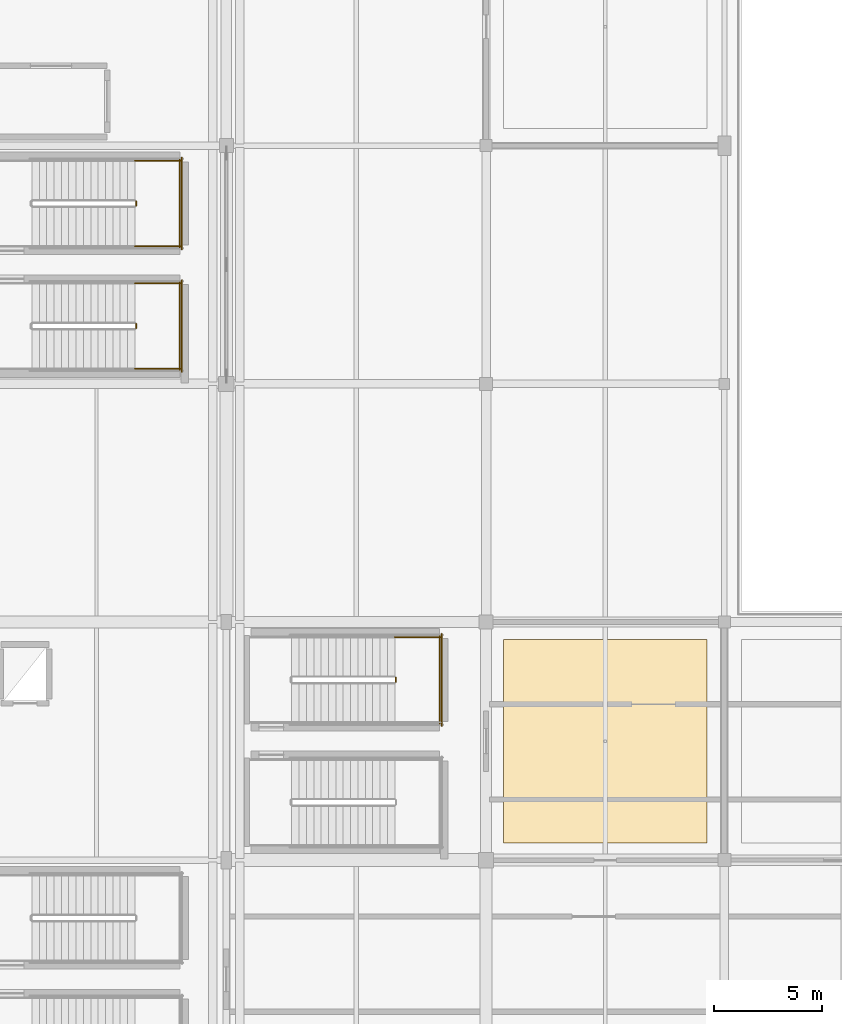
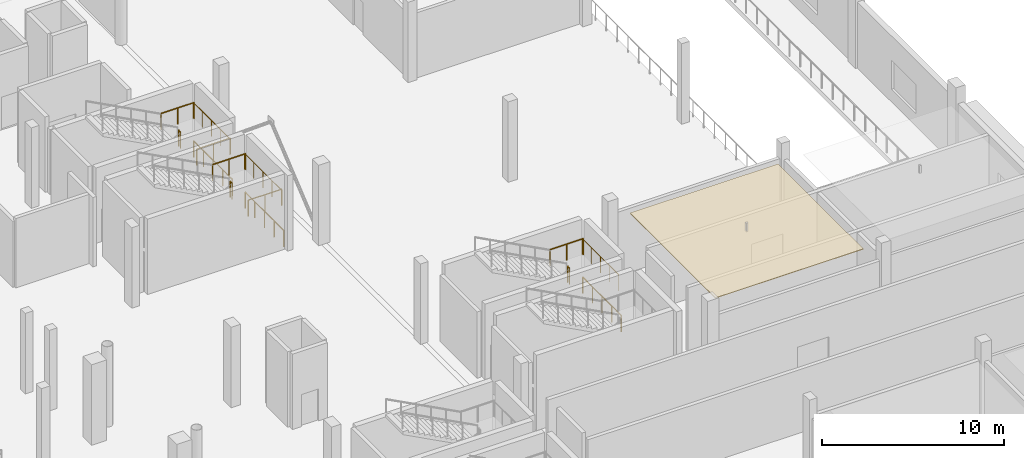
# One storey, part 118 of 120: 14 railings, 1 covering.
"""IFC4 building model written with IfcOpenShell, lengths in metres."""

from ifc_helpers import new_model, si_unit, direction, frame, origin, origin_2d, place, context, subcontext, project, spatial, polyline, circle, outline, extrude, material, layer, layer_set, type_object, element, save


model = new_model("IFC4")

# Units and contexts
model_context = context("Model", 3, precision=1e-05, world=origin(), true_north=direction((0.0, 1.0)))
body_context = subcontext(model_context, "Body", "Model", "MODEL_VIEW")
ifc_project = project(units=[si_unit("LENGTHUNIT", "METRE"), si_unit("AREAUNIT", "SQUARE_METRE"), si_unit("VOLUMEUNIT", "CUBIC_METRE"), si_unit("PLANEANGLEUNIT", "RADIAN"), si_unit("MASSUNIT", "GRAM", prefix="KILO")], contexts=[model_context])

# Site, building, storey
site_placement = place(None, origin())
site = spatial("IfcSite", under=ifc_project, at=site_placement, CompositionType="ELEMENT")
building_placement = place(site_placement, origin())
building = spatial("IfcBuilding", under=site, at=building_placement, Name="Luwafu Chhajja Arena", CompositionType="ELEMENT")
storey_placement = place(building_placement, origin())
storey = spatial("IfcBuildingStorey", under=building, at=storey_placement, Name="L00", CompositionType="ELEMENT", Elevation=0.0)

# Covering
ifc_material_1 = material(Name="Acoustic gypsum ceiling board")
ifc_layer = layer(ifc_material_1, 0.0400390625, Name="Acoustic gypsum ceiling board")
ifc_layer_set = layer_set([ifc_layer], Name="Acoustic gypsum ceiling board")
covering_type = type_object("IfcCoveringType", Name="Perforated Acoustic Baffle Ceiling", PredefinedType="CEILING", material=ifc_layer_set)
covering_placement = place(storey_placement, frame((0.0, 0.0, 4.5029296875)))
element("IfcCovering", 1, at=covering_placement, inside=storey, type_object=covering_type, Name="L00 Acoustic Baffle Ceiling 019", PredefinedType="CEILING", context=body_context, shape_type="SweptSolid", body=[
    extrude(outline(polyline([(176.800048828125, 55.800048828125), (186.199951171875, 55.800048828125), (186.199951171875, 65.199951171875), (176.800048828125, 65.199951171875), (176.800048828125, 55.800048828125)])), origin(), (0.0, 0.0, 1.0), 0.0400390625),
])

# Railings
ifc_material_2 = material(Name="Stainless steel balustrade", Category="steel")
railing_type = type_object("IfcRailingType", Name="Stair and Terrace Guard Balustrade 1100", PredefinedType="BALUSTRADE", material=ifc_material_2)
railing_1_placement = place(storey_placement, frame((159.830078125, 79.570068359375, 2.699951171875)))
element("IfcRailing", 2, at=railing_1_placement, inside=storey, type_object=railing_type, Name="L00 ST-07 stair guard 2", PredefinedType="BALUSTRADE", context=body_context, shape_type="SweptSolid", body=[
    extrude(circle(Radius=0.02392578125, at=origin_2d()), frame((0.0, 0.0, 1.076171875), z_axis=(0.0, 1.0, 0.0), x_axis=(-1.0, 0.0, 0.0)), (0.0, 0.0, 1.0), 0.199951171875),
    extrude(circle(Radius=0.02099609375, at=origin_2d()), origin(), (0.0, 0.0, 1.0), 1.052001953125),
    extrude(circle(Radius=0.02099609375, at=origin_2d()), frame((0.0, 0.199951171875, 0.0)), (0.0, 0.0, 1.0), 1.052001953125),
])
for number, where, name in (
    (3, (159.780029296875, 77.699951171875, 2.699951171875), "L00 ST-07 stair guard 3"),
    (4, (159.780029296875, 81.639892578125, 2.699951171875), "L00 ST-07 stair guard 4"),
):
    element("IfcRailing", number, at=place(storey_placement, frame(where)), inside=storey, type_object=railing_type, Name=name, PredefinedType="BALUSTRADE", context=body_context, shape_type="SweptSolid", body=[
        extrude(circle(Radius=0.02392578125, at=origin_2d()), frame((0.0, 0.0, 1.076171875), z_axis=(1.0, 0.0, 0.0), x_axis=(0.0, 1.0, 0.0)), (0.0, 0.0, 1.0), 2.119873046875),
        extrude(circle(Radius=0.02099609375, at=origin_2d()), origin(), (0.0, 0.0, 1.0), 1.052001953125),
        extrude(circle(Radius=0.02099609375, at=origin_2d()), frame((1.06005859375, 0.0, 0.0)), (0.0, 0.0, 1.0), 1.052001953125),
        extrude(circle(Radius=0.02099609375, at=origin_2d()), frame((2.119873046875, 0.0, 0.0)), (0.0, 0.0, 1.0), 1.052001953125),
    ])
railing_2_placement = place(storey_placement, frame((161.85009765625, 77.64990234375, 2.699951171875)))
element("IfcRailing", 5, at=railing_2_placement, inside=storey, type_object=railing_type, Name="L00 ST-07 stair guard 5", PredefinedType="BALUSTRADE", context=body_context, shape_type="SweptSolid", body=[
    extrude(circle(Radius=0.02392578125, at=origin_2d()), frame((0.0, 0.0, 1.076171875), z_axis=(0.0, 1.0, 0.0), x_axis=(-1.0, 0.0, 0.0)), (0.0, 0.0, 1.0), 4.0400390625),
    extrude(circle(Radius=0.02099609375, at=origin_2d()), origin(), (0.0, 0.0, 1.0), 1.052001953125),
    extrude(circle(Radius=0.02099609375, at=origin_2d()), frame((0.0, 1.010009765625, 0.0)), (0.0, 0.0, 1.0), 1.052001953125),
    extrude(circle(Radius=0.02099609375, at=origin_2d()), frame((0.0, 2.02001953125, 0.0)), (0.0, 0.0, 1.0), 1.052001953125),
    extrude(circle(Radius=0.02099609375, at=origin_2d()), frame((0.0, 3.030029296875, 0.0)), (0.0, 0.0, 1.0), 1.052001953125),
    extrude(circle(Radius=0.02099609375, at=origin_2d()), frame((0.0, 4.0400390625, 0.0)), (0.0, 0.0, 1.0), 1.052001953125),
])
railing_3_placement = place(storey_placement, frame((161.949951171875, 77.550048828125, 0.0)))
element("IfcRailing", 6, at=railing_3_placement, inside=storey, type_object=railing_type, Name="L00 ST-07 stair guard 12", PredefinedType="BALUSTRADE", context=body_context, shape_type="SweptSolid", body=[
    extrude(circle(Radius=0.02392578125, at=origin_2d()), frame((0.0, 0.0, 1.076171875), z_axis=(0.0, 1.0, 0.0), x_axis=(-1.0, 0.0, 0.0)), (0.0, 0.0, 1.0), 4.239990234375),
    extrude(circle(Radius=0.02099609375, at=origin_2d()), origin(), (0.0, 0.0, 1.0), 1.052001953125),
    extrude(circle(Radius=0.02099609375, at=origin_2d()), frame((0.0, 1.06005859375, 0.0)), (0.0, 0.0, 1.0), 1.052001953125),
    extrude(circle(Radius=0.02099609375, at=origin_2d()), frame((0.0, 2.1201171875, 0.0)), (0.0, 0.0, 1.0), 1.052001953125),
    extrude(circle(Radius=0.02099609375, at=origin_2d()), frame((0.0, 3.179931640625, 0.0)), (0.0, 0.0, 1.0), 1.052001953125),
    extrude(circle(Radius=0.02099609375, at=origin_2d()), frame((0.0, 4.239990234375, 0.0)), (0.0, 0.0, 1.0), 1.052001953125),
])
railing_4_placement = place(storey_placement, frame((159.830078125, 85.22998046875, 2.699951171875)))
element("IfcRailing", 7, at=railing_4_placement, inside=storey, type_object=railing_type, Name="L00 ST-08 stair guard 2", PredefinedType="BALUSTRADE", context=body_context, shape_type="SweptSolid", body=[
    extrude(circle(Radius=0.02392578125, at=origin_2d()), frame((0.0, 0.0, 1.076171875), z_axis=(0.0, 1.0, 0.0), x_axis=(-1.0, 0.0, 0.0)), (0.0, 0.0, 1.0), 0.199951171875),
    extrude(circle(Radius=0.02099609375, at=origin_2d()), origin(), (0.0, 0.0, 1.0), 1.052001953125),
    extrude(circle(Radius=0.02099609375, at=origin_2d()), frame((0.0, 0.199951171875, 0.0)), (0.0, 0.0, 1.0), 1.052001953125),
])
for number, where, name in (
    (8, (159.780029296875, 83.360107421875, 2.699951171875), "L00 ST-08 stair guard 3"),
    (9, (159.780029296875, 87.300048828125, 2.699951171875), "L00 ST-08 stair guard 4"),
):
    element("IfcRailing", number, at=place(storey_placement, frame(where)), inside=storey, type_object=railing_type, Name=name, PredefinedType="BALUSTRADE", context=body_context, shape_type="SweptSolid", body=[
        extrude(circle(Radius=0.02392578125, at=origin_2d()), frame((0.0, 0.0, 1.076171875), z_axis=(1.0, 0.0, 0.0), x_axis=(0.0, 1.0, 0.0)), (0.0, 0.0, 1.0), 2.119873046875),
        extrude(circle(Radius=0.02099609375, at=origin_2d()), origin(), (0.0, 0.0, 1.0), 1.052001953125),
        extrude(circle(Radius=0.02099609375, at=origin_2d()), frame((1.06005859375, 0.0, 0.0)), (0.0, 0.0, 1.0), 1.052001953125),
        extrude(circle(Radius=0.02099609375, at=origin_2d()), frame((2.119873046875, 0.0, 0.0)), (0.0, 0.0, 1.0), 1.052001953125),
    ])
railing_5_placement = place(storey_placement, frame((161.85009765625, 83.31005859375, 2.699951171875)))
element("IfcRailing", 10, at=railing_5_placement, inside=storey, type_object=railing_type, Name="L00 ST-08 stair guard 5", PredefinedType="BALUSTRADE", context=body_context, shape_type="SweptSolid", body=[
    extrude(circle(Radius=0.02392578125, at=origin_2d()), frame((0.0, 0.0, 1.076171875), z_axis=(0.0, 1.0, 0.0), x_axis=(-1.0, 0.0, 0.0)), (0.0, 0.0, 1.0), 4.0400390625),
    extrude(circle(Radius=0.02099609375, at=origin_2d()), origin(), (0.0, 0.0, 1.0), 1.052001953125),
    extrude(circle(Radius=0.02099609375, at=origin_2d()), frame((0.0, 1.010009765625, 0.0)), (0.0, 0.0, 1.0), 1.052001953125),
    extrude(circle(Radius=0.02099609375, at=origin_2d()), frame((0.0, 2.02001953125, 0.0)), (0.0, 0.0, 1.0), 1.052001953125),
    extrude(circle(Radius=0.02099609375, at=origin_2d()), frame((0.0, 3.030029296875, 0.0)), (0.0, 0.0, 1.0), 1.052001953125),
    extrude(circle(Radius=0.02099609375, at=origin_2d()), frame((0.0, 4.0400390625, 0.0)), (0.0, 0.0, 1.0), 1.052001953125),
])
railing_6_placement = place(storey_placement, frame((161.949951171875, 83.2099609375, 0.0)))
element("IfcRailing", 11, at=railing_6_placement, inside=storey, type_object=railing_type, Name="L00 ST-08 stair guard 12", PredefinedType="BALUSTRADE", context=body_context, shape_type="SweptSolid", body=[
    extrude(circle(Radius=0.02392578125, at=origin_2d()), frame((0.0, 0.0, 1.076171875), z_axis=(0.0, 1.0, 0.0), x_axis=(-1.0, 0.0, 0.0)), (0.0, 0.0, 1.0), 4.239990234375),
    extrude(circle(Radius=0.02099609375, at=origin_2d()), origin(), (0.0, 0.0, 1.0), 1.052001953125),
    extrude(circle(Radius=0.02099609375, at=origin_2d()), frame((0.0, 1.06005859375, 0.0)), (0.0, 0.0, 1.0), 1.052001953125),
    extrude(circle(Radius=0.02099609375, at=origin_2d()), frame((0.0, 2.1201171875, 0.0)), (0.0, 0.0, 1.0), 1.052001953125),
    extrude(circle(Radius=0.02099609375, at=origin_2d()), frame((0.0, 3.179931640625, 0.0)), (0.0, 0.0, 1.0), 1.052001953125),
    extrude(circle(Radius=0.02099609375, at=origin_2d()), frame((0.0, 4.239990234375, 0.0)), (0.0, 0.0, 1.0), 1.052001953125),
])
railing_7_placement = place(storey_placement, frame((171.830078125, 63.22998046875, 2.699951171875)))
element("IfcRailing", 12, at=railing_7_placement, inside=storey, type_object=railing_type, Name="L00 ST-20 stair guard 2", PredefinedType="BALUSTRADE", context=body_context, shape_type="SweptSolid", body=[
    extrude(circle(Radius=0.02392578125, at=origin_2d()), frame((0.0, 0.0, 1.076171875), z_axis=(0.0, 1.0, 0.0), x_axis=(-1.0, 0.0, 0.0)), (0.0, 0.0, 1.0), 0.199951171875),
    extrude(circle(Radius=0.02099609375, at=origin_2d()), origin(), (0.0, 0.0, 1.0), 1.052001953125),
    extrude(circle(Radius=0.02099609375, at=origin_2d()), frame((0.0, 0.199951171875, 0.0)), (0.0, 0.0, 1.0), 1.052001953125),
])
railing_8_placement = place(storey_placement, frame((171.780029296875, 65.300048828125, 2.699951171875)))
element("IfcRailing", 13, at=railing_8_placement, inside=storey, type_object=railing_type, Name="L00 ST-20 stair guard 4", PredefinedType="BALUSTRADE", context=body_context, shape_type="SweptSolid", body=[
    extrude(circle(Radius=0.02392578125, at=origin_2d()), frame((0.0, 0.0, 1.076171875), z_axis=(1.0, 0.0, 0.0), x_axis=(0.0, 1.0, 0.0)), (0.0, 0.0, 1.0), 2.119873046875),
    extrude(circle(Radius=0.02099609375, at=origin_2d()), origin(), (0.0, 0.0, 1.0), 1.052001953125),
    extrude(circle(Radius=0.02099609375, at=origin_2d()), frame((1.06005859375, 0.0, 0.0)), (0.0, 0.0, 1.0), 1.052001953125),
    extrude(circle(Radius=0.02099609375, at=origin_2d()), frame((2.119873046875, 0.0, 0.0)), (0.0, 0.0, 1.0), 1.052001953125),
])
railing_9_placement = place(storey_placement, frame((173.85009765625, 61.31005859375, 2.699951171875)))
element("IfcRailing", 14, at=railing_9_placement, inside=storey, type_object=railing_type, Name="L00 ST-20 stair guard 5", PredefinedType="BALUSTRADE", context=body_context, shape_type="SweptSolid", body=[
    extrude(circle(Radius=0.02392578125, at=origin_2d()), frame((0.0, 0.0, 1.076171875), z_axis=(0.0, 1.0, 0.0), x_axis=(-1.0, 0.0, 0.0)), (0.0, 0.0, 1.0), 4.0400390625),
    extrude(circle(Radius=0.02099609375, at=origin_2d()), origin(), (0.0, 0.0, 1.0), 1.052001953125),
    extrude(circle(Radius=0.02099609375, at=origin_2d()), frame((0.0, 1.010009765625, 0.0)), (0.0, 0.0, 1.0), 1.052001953125),
    extrude(circle(Radius=0.02099609375, at=origin_2d()), frame((0.0, 2.02001953125, 0.0)), (0.0, 0.0, 1.0), 1.052001953125),
    extrude(circle(Radius=0.02099609375, at=origin_2d()), frame((0.0, 3.030029296875, 0.0)), (0.0, 0.0, 1.0), 1.052001953125),
    extrude(circle(Radius=0.02099609375, at=origin_2d()), frame((0.0, 4.0400390625, 0.0)), (0.0, 0.0, 1.0), 1.052001953125),
])
railing_10_placement = place(storey_placement, frame((173.949951171875, 61.2099609375, 0.0)))
element("IfcRailing", 15, at=railing_10_placement, inside=storey, type_object=railing_type, Name="L00 ST-20 stair guard 12", PredefinedType="BALUSTRADE", context=body_context, shape_type="SweptSolid", body=[
    extrude(circle(Radius=0.02392578125, at=origin_2d()), frame((0.0, 0.0, 1.076171875), z_axis=(0.0, 1.0, 0.0), x_axis=(-1.0, 0.0, 0.0)), (0.0, 0.0, 1.0), 4.239990234375),
    extrude(circle(Radius=0.02099609375, at=origin_2d()), origin(), (0.0, 0.0, 1.0), 1.052001953125),
    extrude(circle(Radius=0.02099609375, at=origin_2d()), frame((0.0, 1.06005859375, 0.0)), (0.0, 0.0, 1.0), 1.052001953125),
    extrude(circle(Radius=0.02099609375, at=origin_2d()), frame((0.0, 2.1201171875, 0.0)), (0.0, 0.0, 1.0), 1.052001953125),
    extrude(circle(Radius=0.02099609375, at=origin_2d()), frame((0.0, 3.179931640625, 0.0)), (0.0, 0.0, 1.0), 1.052001953125),
    extrude(circle(Radius=0.02099609375, at=origin_2d()), frame((0.0, 4.239990234375, 0.0)), (0.0, 0.0, 1.0), 1.052001953125),
])

save(model, "model.ifc")
